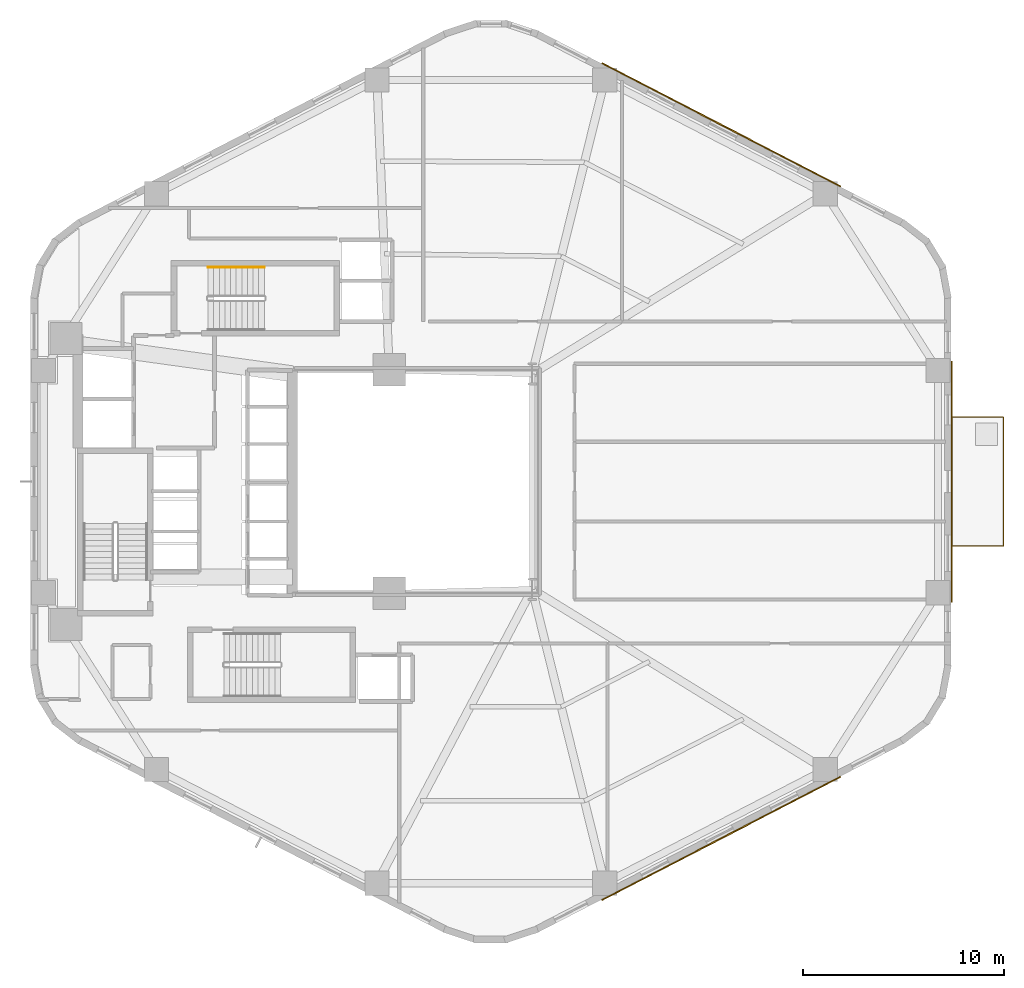
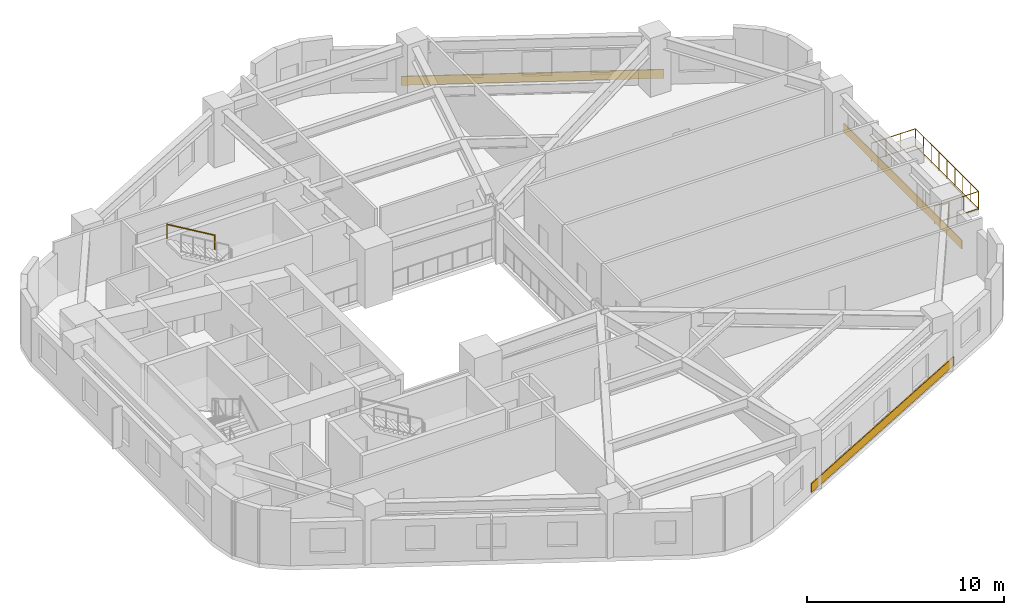
# One storey, part 7 of 7: 3 coverings, 2 railings.
"""IFC4 building model written with IfcOpenShell, lengths in metres."""

from ifc_helpers import new_model, si_unit, direction, frame, origin, origin_2d, place, context, subcontext, project, spatial, rectangle, circle, extrude, material, layer, layer_set, type_object, element, save


model = new_model("IFC4")

# Units and contexts
model_context = context("Model", 3, precision=1e-05, world=origin(), true_north=direction((0.0, 1.0)))
body_context = subcontext(model_context, "Body", "Model", "MODEL_VIEW")
ifc_project = project(units=[si_unit("LENGTHUNIT", "METRE"), si_unit("AREAUNIT", "SQUARE_METRE"), si_unit("VOLUMEUNIT", "CUBIC_METRE"), si_unit("PLANEANGLEUNIT", "RADIAN"), si_unit("MASSUNIT", "GRAM", prefix="KILO"), si_unit("THERMODYNAMICTEMPERATUREUNIT", "KELVIN"), si_unit("POWERUNIT", "WATT")], contexts=[model_context])

# Site, building, storey
site_placement = place(None, origin())
site = spatial("IfcSite", under=ifc_project, at=site_placement, CompositionType="ELEMENT")
building_placement = place(site_placement, origin())
building = spatial("IfcBuilding", under=site, at=building_placement, Name="Skarre Station Tower", CompositionType="ELEMENT")
storey_placement = place(building_placement, frame((0.0, 0.0, 70.800048828125)))
storey = spatial("IfcBuildingStorey", under=building, at=storey_placement, Name="L18", CompositionType="ELEMENT", Elevation=70.800048828125)

# Railings
ifc_material_1 = material(Name="Stainless Steel Grade 316L & Laminated Safety Glass", Category="steel")
railing_type_1 = type_object("IfcRailingType", Name="Laminated Glass & Stainless Terrace Guardrail 1150", PredefinedType="BALUSTRADE", material=ifc_material_1)
railing_1_placement = place(storey_placement, frame((60.27294921875, 20.800048828125, 0.0)))
element("IfcRailing", 1, at=railing_1_placement, inside=storey, type_object=railing_type_1, Name="L18 TB-L18-F5 Tree-Balcony Guardrail", PredefinedType="BALUSTRADE", context=body_context, shape_type="SweptSolid", body=[
    extrude(circle(Radius=0.02392578125, at=origin_2d()), frame((0.0, 0.0, 1.1259765625), z_axis=(1.0, 0.0, 0.0), x_axis=(0.0, 1.0, 0.0)), (0.0, 0.0, 1.0), 2.590087890625),
    extrude(circle(Radius=0.02099609375, at=origin_2d()), frame((0.0, 0.0, 0.06005859375), z_axis=(1.0, 0.0, 0.0), x_axis=(0.0, 1.0, 0.0)), (0.0, 0.0, 1.0), 2.590087890625),
    extrude(circle(Radius=0.02392578125, at=origin_2d()), frame((2.590087890625, 0.0, 1.1259765625), z_axis=(0.0, 1.0, 0.0), x_axis=(-1.0, 0.0, 0.0)), (0.0, 0.0, 1.0), 6.39990234375),
    extrude(circle(Radius=0.02099609375, at=origin_2d()), frame((2.590087890625, 0.0, 0.06005859375), z_axis=(0.0, 1.0, 0.0), x_axis=(-1.0, 0.0, 0.0)), (0.0, 0.0, 1.0), 6.39990234375),
    extrude(circle(Radius=0.02392578125, at=origin_2d()), frame((2.590087890625, 6.39990234375, 1.1259765625), z_axis=(-1.0, 0.0, 0.0), x_axis=(0.0, -1.0, 0.0)), (0.0, 0.0, 1.0), 2.590087890625),
    extrude(circle(Radius=0.02099609375, at=origin_2d()), frame((2.590087890625, 6.39990234375, 0.06005859375), z_axis=(-1.0, 0.0, 0.0), x_axis=(0.0, -1.0, 0.0)), (0.0, 0.0, 1.0), 2.590087890625),
    extrude(circle(Radius=0.02099609375, at=origin_2d()), origin(), (0.0, 0.0, 1.0), 1.101806640625),
    extrude(circle(Radius=0.02099609375, at=origin_2d()), frame((0.86328125, 0.0, 0.0)), (0.0, 0.0, 1.0), 1.101806640625),
    extrude(circle(Radius=0.02099609375, at=origin_2d()), frame((1.726806640625, 0.0, 0.0)), (0.0, 0.0, 1.0), 1.101806640625),
    extrude(circle(Radius=0.02099609375, at=origin_2d()), frame((2.590087890625, 0.0, 0.0)), (0.0, 0.0, 1.0), 1.101806640625),
    extrude(circle(Radius=0.02099609375, at=origin_2d()), frame((2.590087890625, 0.800048828125, 0.0)), (0.0, 0.0, 1.0), 1.101806640625),
    extrude(circle(Radius=0.02099609375, at=origin_2d()), frame((2.590087890625, 1.60009765625, 0.0)), (0.0, 0.0, 1.0), 1.101806640625),
    extrude(circle(Radius=0.02099609375, at=origin_2d()), frame((2.590087890625, 2.39990234375, 0.0)), (0.0, 0.0, 1.0), 1.101806640625),
    extrude(circle(Radius=0.02099609375, at=origin_2d()), frame((2.590087890625, 3.199951171875, 0.0)), (0.0, 0.0, 1.0), 1.101806640625),
    extrude(circle(Radius=0.02099609375, at=origin_2d()), frame((2.590087890625, 4.0, 0.0)), (0.0, 0.0, 1.0), 1.101806640625),
    extrude(circle(Radius=0.02099609375, at=origin_2d()), frame((2.590087890625, 4.7998046875, 0.0)), (0.0, 0.0, 1.0), 1.101806640625),
    extrude(circle(Radius=0.02099609375, at=origin_2d()), frame((2.590087890625, 5.599853515625, 0.0)), (0.0, 0.0, 1.0), 1.101806640625),
    extrude(circle(Radius=0.02099609375, at=origin_2d()), frame((2.590087890625, 6.39990234375, 0.0)), (0.0, 0.0, 1.0), 1.101806640625),
    extrude(circle(Radius=0.02099609375, at=origin_2d()), frame((1.726806640625, 6.39990234375, 0.0)), (0.0, 0.0, 1.0), 1.101806640625),
    extrude(circle(Radius=0.02099609375, at=origin_2d()), frame((0.86328125, 6.39990234375, 0.0)), (0.0, 0.0, 1.0), 1.101806640625),
    extrude(circle(Radius=0.02099609375, at=origin_2d()), frame((0.0, 6.39990234375, 0.0)), (0.0, 0.0, 1.0), 1.101806640625),
])
ifc_material_2 = material(Name="Powder-Coated Tubular Steel", Category="steel")
railing_type_2 = type_object("IfcRailingType", Name="Painted Steel Ramp & Stair Handrail 920", PredefinedType="HANDRAIL", material=ifc_material_2)
railing_2_placement = place(storey_placement, frame((26.14990234375, 34.64990234375, 1.990966796875)))
element("IfcRailing", 2, at=railing_2_placement, inside=storey, type_object=railing_type_2, Name="L18 ST-3 stair handrail 2", PredefinedType="HANDRAIL", context=body_context, shape_type="SweptSolid", body=[
    extrude(circle(Radius=0.02392578125, at=origin_2d()), frame((0.0, 0.0, 0.8759765625), z_axis=(-0.860319559791, 0.0, 0.509755093197), x_axis=(0.0, -1.0, 0.0)), (0.0, 0.0, 1.0), 3.25439453125),
    extrude(circle(Radius=0.02099609375, at=origin_2d()), origin(), (0.0, 0.0, 1.0), 0.851806640625),
    extrude(circle(Radius=0.02099609375, at=origin_2d()), frame((-2.7998046875, 0.0, 1.658935546875)), (0.0, 0.0, 1.0), 0.851806640625),
])

# Coverings
ifc_material_3 = material(Name="Honed Pale Nordic Granite Cladding", Category="masonry")
ifc_layer = layer(ifc_material_3, 0.06005859375, Name="Honed Pale Nordic Granite Cladding")
ifc_layer_set = layer_set([ifc_layer], Name="Honed Pale Nordic Granite Cladding")
covering_type = type_object("IfcCoveringType", Name="Precast Pier Spandrel Reveal Cladding 60", PredefinedType="CLADDING", material=ifc_layer_set)
for number, where, z_axis, x_axis, name in (
    (3, (48.843017578125, 41.721923828125, 0.14501953125), (0.0, 0.0, 1.0), (-0.888633242003, 0.458618535612, 0.0), "L18 Facet 0 Granite Spandrel Cladding"),
    (4, (48.843017578125, 6.278076171875, 0.14501953125), (0.0, 0.0, 1.0), (0.888633242003, 0.458618535612, 0.0), "L18 Facet 4 Granite Spandrel Cladding"),
):
    element("IfcCovering", number, at=place(storey_placement, frame(where, z_axis=z_axis, x_axis=x_axis)), inside=storey, type_object=covering_type, Name=name, PredefinedType="CLADDING", context=body_context, shape_type="SweptSolid", body=[
        extrude(rectangle(XDim=13.344970703125, YDim=0.06005859375, at=origin_2d()), origin(), (0.0, 0.0, 1.0), 0.550048828125),
    ])
covering_placement = place(storey_placement, frame((60.2880859375, 24.0, 0.14501953125), z_axis=(0.0, 0.0, 1.0), x_axis=(0.0, 1.0, 0.0)))
element("IfcCovering", 5, at=covering_placement, inside=storey, type_object=covering_type, Name="L18 Facet 5 Granite Spandrel Cladding", PredefinedType="CLADDING", context=body_context, shape_type="SweptSolid", body=[
    extrude(rectangle(XDim=11.962890625, YDim=0.06005859375, at=origin_2d()), origin(), (0.0, 0.0, 1.0), 0.550048828125),
])

save(model, "model.ifc")
